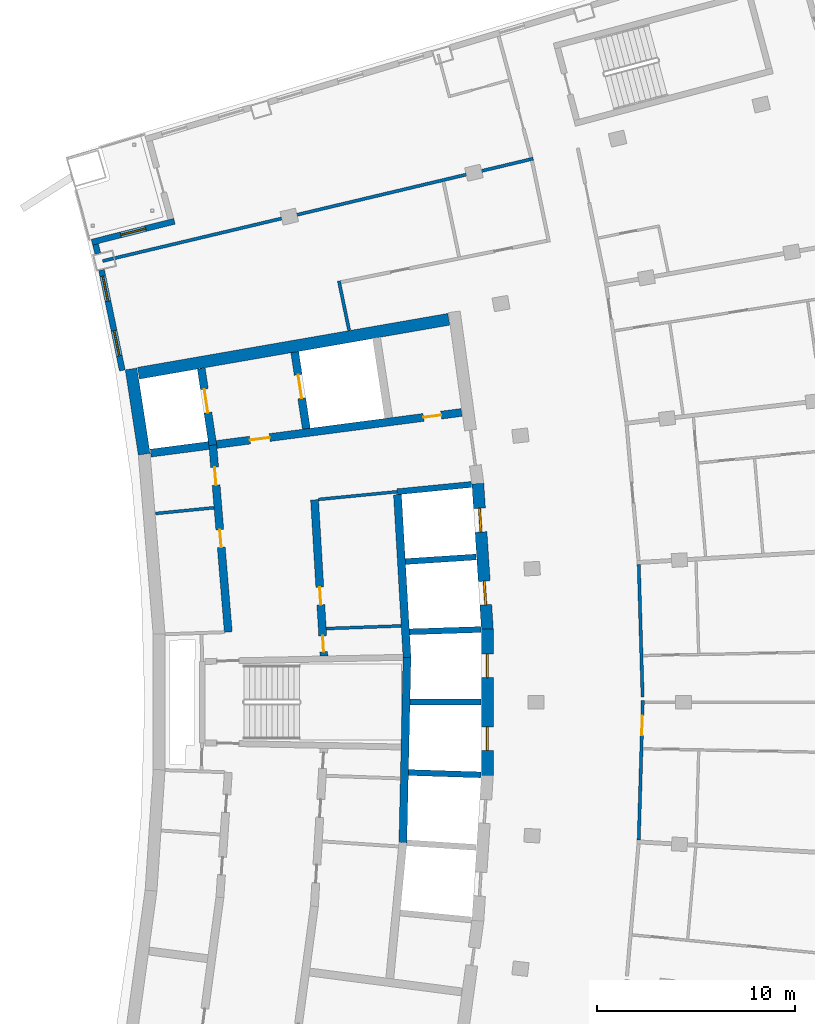
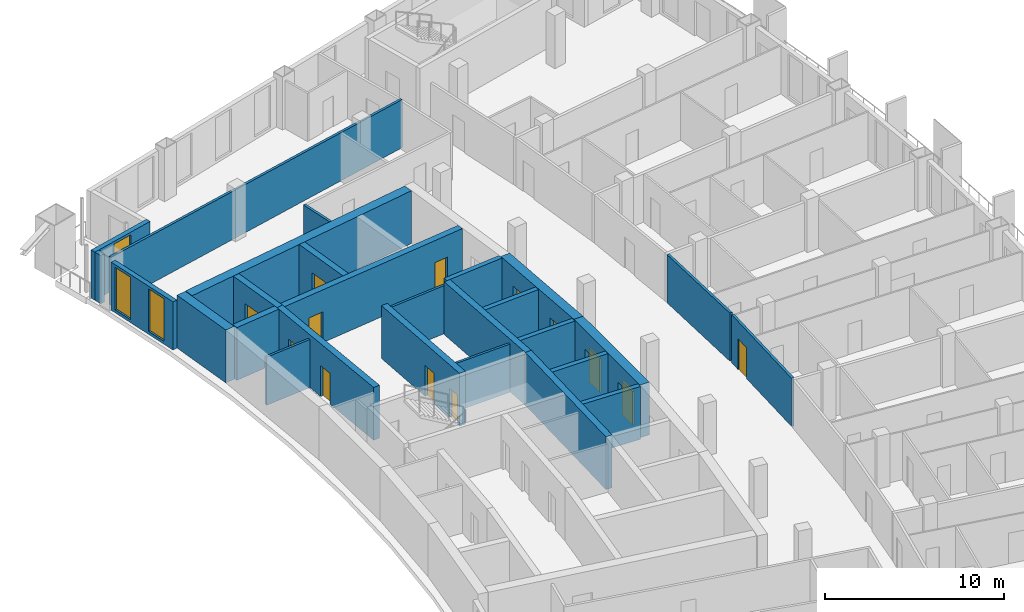
# One storey, part 12 of 19: 27 walls, 13 doors, 3 windows, 16 openings.
"""IFC4 building model written with IfcOpenShell, lengths in metres."""

from ifc_helpers import new_model, si_unit, direction, frame, frame_2d, origin, place, context, subcontext, project, spatial, rectangle, extrude, material, layer, layer_set, type_object, element, fill, save


model = new_model("IFC4")

# Units and contexts
model_context = context("Model", 3, precision=1e-05, world=origin(), true_north=direction((0.0, 1.0)))
body_context = subcontext(model_context, "Body", "Model", "MODEL_VIEW")
ifc_project = project(units=[si_unit("LENGTHUNIT", "METRE"), si_unit("AREAUNIT", "SQUARE_METRE"), si_unit("VOLUMEUNIT", "CUBIC_METRE"), si_unit("PLANEANGLEUNIT", "RADIAN"), si_unit("MASSUNIT", "GRAM", prefix="KILO")], contexts=[model_context])

# Site, building, storey
site_placement = place(None, origin())
site = spatial("IfcSite", under=ifc_project, at=site_placement, CompositionType="ELEMENT")
building_placement = place(site_placement, origin())
building = spatial("IfcBuilding", under=site, at=building_placement, Name="Alderwake Tower", CompositionType="ELEMENT")
storey_placement = place(building_placement, frame((0.0, 0.0, 203.60009765625)))
storey = spatial("IfcBuildingStorey", under=building, at=storey_placement, Name="L50", CompositionType="ELEMENT", Elevation=203.60009765625)

# Walls
ifc_material_1 = material(Name="Gypsum shaft wall system, rated")
ifc_layer_1 = layer(ifc_material_1, 0.14990234375)
ifc_layer_set_1 = layer_set([ifc_layer_1], Name="Core riser partition 150")
wall_type_1 = type_object("IfcWallType", Name="Core riser partition 150", PredefinedType="PARTITIONING", material=ifc_layer_set_1)
wall_1_placement = place(storey_placement, frame((25.191162109375, 64.723388671875, 0.0), z_axis=(0.0, 0.0, 1.0), x_axis=(0.999373627871, 0.035388584556, 0.0)))
element("IfcWall", 1, at=wall_1_placement, inside=storey, type_object=wall_type_1, Name="CW/L50/PR+37_+86", PredefinedType="PARTITIONING", context=body_context, shape_type="SweptSolid", body=[
    extrude(rectangle(XDim=3.79443359375, YDim=0.14990234375, at=frame_2d((1.897216796875, 0.0))), origin(), (0.0, 0.0, 1.0), 3.27978515625),
])
ifc_material_2 = material(Name="Gypsum shaft wall system, rated")
ifc_layer_2 = layer(ifc_material_2, 0.14990234375)
ifc_layer_set_2 = layer_set([ifc_layer_2], Name="Core room partition 150")
wall_type_2 = type_object("IfcWallType", Name="Core room partition 150", PredefinedType="PARTITIONING", material=ifc_layer_set_2)
wall_2_placement = place(storey_placement, frame((24.799560546875, 71.2548828125, 0.0), z_axis=(0.0, 0.0, 1.0), x_axis=(0.995250000627, 0.097352125046, 0.0)))
element("IfcWall", 2, at=wall_2_placement, inside=storey, type_object=wall_type_2, Name="CW/L50/PR+102_+86", PredefinedType="PARTITIONING", context=body_context, shape_type="SweptSolid", body=[
    extrude(rectangle(XDim=4.0, YDim=0.14990234375, at=frame_2d((2.0, 0.0))), origin(), (0.0, 0.0, 1.0), 3.27978515625),
])
wall_3_placement = place(storey_placement, frame((16.563232421875, 70.5419921875, 0.0), z_axis=(0.0, 0.0, 1.0), x_axis=(0.995152224128, 0.098346585166, 0.0)))
element("IfcWall", 3, at=wall_3_placement, inside=storey, type_object=wall_type_2, Name="CW/L50/PR+103_+0", PredefinedType="PARTITIONING", context=body_context, shape_type="SweptSolid", body=[
    extrude(rectangle(XDim=2.966552734375, YDim=0.14990234375, at=frame_2d((1.4833984375, 0.0))), origin(), (0.0, 0.0, 1.0), 3.27978515625),
])
ifc_material_3 = material(Name="Concrete C70/85", Category="concrete")
ifc_layer_3 = layer(ifc_material_3, 0.60009765625)
ifc_layer_set_3 = layer_set([ifc_layer_3], Name="Core wall outer 600 C70-85")
wall_type_3 = type_object("IfcWallType", Name="Core wall outer 600 C70-85", PredefinedType="SHEAR", material=ifc_layer_set_3)
wall_4_placement = place(storey_placement, frame((15.984130859375, 73.54296875, 0.0), z_axis=(0.0, 0.0, 1.0), x_axis=(-0.151922578304, 0.988392396876, 0.0)))
element("IfcWall", 4, at=wall_4_placement, inside=storey, type_object=wall_type_3, Name="Core wall CW.034", PredefinedType="SHEAR", context=body_context, shape_type="SweptSolid", body=[
    extrude(rectangle(XDim=4.361328125, YDim=0.60009765625, at=frame_2d((2.1806640625, 0.0))), origin(), (0.0, 0.0, 1.0), 3.599853515625),
])

# Wall, openings, doors
wall_5_placement = place(storey_placement, frame((33.340087890625, 57.30322265625, 0.0), z_axis=(0.0, 0.0, 1.0), x_axis=(0.0, 1.0, 0.0)))
wall_5 = element("IfcWall", 5, at=wall_5_placement, inside=storey, type_object=wall_type_3, Name="Core wall CW.018", PredefinedType="SHEAR", context=body_context, shape_type="SweptSolid", body=[
    extrude(rectangle(XDim=7.3935546875, YDim=0.60009765625, at=frame_2d((3.69677734375, 0.0))), origin(), (0.0, 0.0, 1.0), 3.599853515625),
])
opening_1_placement = place(wall_5_placement, frame((1.25341796875, 0.0, 0.0)))
opening_1 = element("IfcOpeningElement", 6, at=opening_1_placement, cuts=wall_5, Name="Opening LD-HP3", PredefinedType="OPENING", context=body_context, shape_type="SweptSolid", body=[
    extrude(rectangle(XDim=1.199951171875, YDim=2.300048828125, at=frame_2d((0.60009765625, 1.14990234375))), frame((0.0, 0.31005859375, 0.0), z_axis=(0.0, -1.0, 0.0), x_axis=(1.0, 0.0, 0.0)), (0.0, 0.0, 1.0), 0.6201171875),
])
opening_2_placement = place(wall_5_placement, frame((4.940185546875, 0.0, 0.0)))
opening_2 = element("IfcOpeningElement", 7, at=opening_2_placement, cuts=wall_5, Name="Opening LD-HP4", PredefinedType="OPENING", context=body_context, shape_type="SweptSolid", body=[
    extrude(rectangle(XDim=1.199951171875, YDim=2.300048828125, at=frame_2d((0.60009765625, 1.14990234375))), frame((0.0, 0.31005859375, 0.0), z_axis=(0.0, -1.0, 0.0), x_axis=(1.0, 0.0, 0.0)), (0.0, 0.0, 1.0), 0.6201171875),
])
ifc_material_4 = material(Name="Stainless steel sliding leaf", Category="steel")
door_type_1 = type_object("IfcDoorType", Name="Lift landing door 1200", OperationType="SLIDING_TO_LEFT", PredefinedType="DOOR", material=ifc_material_4)
door_1_placement = place(opening_1_placement, origin())
door_1 = element("IfcDoor", 8, at=door_1_placement, inside=storey, type_object=door_type_1, Name="Lift landing door HP3", OperationType="SLIDING_TO_LEFT", OverallHeight=2.300048828125, OverallWidth=1.199951171875, PredefinedType="DOOR", context=body_context, shape_type="SweptSolid", body=[
    extrude(rectangle(XDim=1.199951171875, YDim=2.300048828125, at=frame_2d((0.60009765625, 1.14990234375))), frame((0.0, 0.050048828125, 0.0), z_axis=(0.0, -1.0, 0.0), x_axis=(1.0, 0.0, 0.0)), (0.0, 0.0, 1.0), 0.10009765625),
])
fill(opening_1, door_1)
door_2_placement = place(opening_2_placement, origin())
door_2 = element("IfcDoor", 9, at=door_2_placement, inside=storey, type_object=door_type_1, Name="Lift landing door HP4", OperationType="SLIDING_TO_LEFT", OverallHeight=2.300048828125, OverallWidth=1.199951171875, PredefinedType="DOOR", context=body_context, shape_type="SweptSolid", body=[
    extrude(rectangle(XDim=1.199951171875, YDim=2.300048828125, at=frame_2d((0.60009765625, 1.14990234375))), frame((0.0, 0.050048828125, 0.0), z_axis=(0.0, -1.0, 0.0), x_axis=(1.0, 0.0, 0.0)), (0.0, 0.0, 1.0), 0.10009765625),
])
fill(opening_2, door_2)

wall_6_placement = place(storey_placement, frame((33.3408203125, 64.67626953125, 0.0), z_axis=(0.0, 0.0, 1.0), x_axis=(-0.065013379938, 0.997884392317, 0.0)))
wall_6 = element("IfcWall", 10, at=wall_6_placement, inside=storey, type_object=wall_type_3, Name="Core wall CW.015", PredefinedType="SHEAR", context=body_context, shape_type="SweptSolid", body=[
    extrude(rectangle(XDim=7.39404296875, YDim=0.60009765625, at=frame_2d((3.697021484375, 0.0))), origin(), (0.0, 0.0, 1.0), 3.599853515625),
])
opening_3_placement = place(wall_6_placement, frame((1.253173828125, 0.0, 0.0)))
opening_3 = element("IfcOpeningElement", 11, at=opening_3_placement, cuts=wall_6, Name="Opening LD-HP5", PredefinedType="OPENING", context=body_context, shape_type="SweptSolid", body=[
    extrude(rectangle(XDim=1.199951171875, YDim=2.300048828125, at=frame_2d((0.60009765625, 1.14990234375))), frame((0.0, 0.31005859375, 0.0), z_axis=(0.0, -1.0, 0.0), x_axis=(1.0, 0.0, 0.0)), (0.0, 0.0, 1.0), 0.6201171875),
])
opening_4_placement = place(wall_6_placement, frame((4.940185546875, 0.0, 0.0)))
opening_4 = element("IfcOpeningElement", 12, at=opening_4_placement, cuts=wall_6, Name="Opening LD-HP6", PredefinedType="OPENING", context=body_context, shape_type="SweptSolid", body=[
    extrude(rectangle(XDim=1.199951171875, YDim=2.300048828125, at=frame_2d((0.60009765625, 1.14990234375))), frame((0.0, 0.31005859375, 0.0), z_axis=(0.0, -1.0, 0.0), x_axis=(1.0, 0.0, 0.0)), (0.0, 0.0, 1.0), 0.6201171875),
])
door_3_placement = place(opening_3_placement, origin())
door_3 = element("IfcDoor", 13, at=door_3_placement, inside=storey, type_object=door_type_1, Name="Lift landing door HP5", OperationType="SLIDING_TO_LEFT", OverallHeight=2.300048828125, OverallWidth=1.199951171875, PredefinedType="DOOR", context=body_context, shape_type="SweptSolid", body=[
    extrude(rectangle(XDim=1.199951171875, YDim=2.300048828125, at=frame_2d((0.60009765625, 1.14990234375))), frame((0.0, 0.050048828125, 0.0), z_axis=(0.0, -1.0, 0.0), x_axis=(1.0, 0.0, 0.0)), (0.0, 0.0, 1.0), 0.10009765625),
])
fill(opening_3, door_3)
door_4_placement = place(opening_4_placement, origin())
door_4 = element("IfcDoor", 14, at=door_4_placement, inside=storey, type_object=door_type_1, Name="Lift landing door HP6", OperationType="SLIDING_TO_LEFT", OverallHeight=2.300048828125, OverallWidth=1.199951171875, PredefinedType="DOOR", context=body_context, shape_type="SweptSolid", body=[
    extrude(rectangle(XDim=1.199951171875, YDim=2.300048828125, at=frame_2d((0.60009765625, 1.14990234375))), frame((0.0, 0.050048828125, 0.0), z_axis=(0.0, -1.0, 0.0), x_axis=(1.0, 0.0, 0.0)), (0.0, 0.0, 1.0), 0.10009765625),
])
fill(opening_4, door_4)

# Walls
wall_7_placement = place(storey_placement, frame((15.68896484375, 77.6357421875, 0.0), z_axis=(0.0, 0.0, 1.0), x_axis=(0.985223223422, 0.17127521721, 0.0)))
element("IfcWall", 15, at=wall_7_placement, inside=storey, type_object=wall_type_3, Name="Core wall CW.055", PredefinedType="SHEAR", context=body_context, shape_type="SweptSolid", body=[
    extrude(rectangle(XDim=15.933349609375, YDim=0.60009765625, at=frame_2d((7.966796875, 0.0))), origin(), (0.0, 0.0, 1.0), 3.599853515625),
])
ifc_material_5 = material(Name="Concrete C70/85", Category="concrete")
ifc_layer_4 = layer(ifc_material_5, 0.300048828125)
ifc_layer_set_4 = layer_set([ifc_layer_4], Name="Core wall shaft 300 C70-85")
wall_type_4 = type_object("IfcWallType", Name="Core wall shaft 300 C70-85", PredefinedType="SHEAR", material=ifc_layer_set_4)
wall_8_placement = place(storey_placement, frame((29.347412109375, 57.443603515625, 0.0), z_axis=(0.0, 0.0, 1.0), x_axis=(0.99946918462, -0.032578351638, 0.0)))
element("IfcWall", 16, at=wall_8_placement, inside=storey, type_object=wall_type_4, Name="Core wall CW.075", PredefinedType="SHEAR", context=body_context, shape_type="SweptSolid", body=[
    extrude(rectangle(XDim=3.66455078125, YDim=0.300048828125, at=frame_2d((1.832275390625, 0.0))), origin(), (0.0, 0.0, 1.0), 3.599853515625),
])
wall_9_placement = place(storey_placement, frame((29.426025390625, 61.0, 0.0), z_axis=(0.0, 0.0, 1.0), x_axis=(1.0, 0.0, 0.0)))
element("IfcWall", 17, at=wall_9_placement, inside=storey, type_object=wall_type_4, Name="Core wall CW.048", PredefinedType="SHEAR", context=body_context, shape_type="SweptSolid", body=[
    extrude(rectangle(XDim=3.583984375, YDim=0.300048828125, at=frame_2d((1.7919921875, 0.0))), origin(), (0.0, 0.0, 1.0), 3.599853515625),
])
wall_10_placement = place(storey_placement, frame((29.401611328125, 64.558349609375, 0.0), z_axis=(0.0, 0.0, 1.0), x_axis=(0.999470865009, 0.032526758191, 0.0)))
element("IfcWall", 18, at=wall_10_placement, inside=storey, type_object=wall_type_4, Name="Core wall CW.058", PredefinedType="SHEAR", context=body_context, shape_type="SweptSolid", body=[
    extrude(rectangle(XDim=3.6103515625, YDim=0.300048828125, at=frame_2d((1.80517578125, 0.0))), origin(), (0.0, 0.0, 1.0), 3.599853515625),
])
wall_11_placement = place(storey_placement, frame((29.193603515625, 68.110595703125, 0.0), z_axis=(0.0, 0.0, 1.0), x_axis=(0.997887597979, 0.064964157805, 0.0)))
element("IfcWall", 19, at=wall_11_placement, inside=storey, type_object=wall_type_4, Name="Core wall CW.061", PredefinedType="SHEAR", context=body_context, shape_type="SweptSolid", body=[
    extrude(rectangle(XDim=3.585205078125, YDim=0.300048828125, at=frame_2d((1.79248046875, 0.0))), origin(), (0.0, 0.0, 1.0), 3.599853515625),
])
wall_12_placement = place(storey_placement, frame((28.780517578125, 71.644287109375, 0.0), z_axis=(0.0, 0.0, 1.0), x_axis=(0.995245280185, 0.097400370992, 0.0)))
element("IfcWall", 20, at=wall_12_placement, inside=storey, type_object=wall_type_4, Name="Core wall CW.049", PredefinedType="SHEAR", context=body_context, shape_type="SweptSolid", body=[
    extrude(rectangle(XDim=3.769775390625, YDim=0.300048828125, at=frame_2d((1.884765625, 0.0))), origin(), (0.0, 0.0, 1.0), 3.599853515625),
])

# Wall, openings, doors
ifc_material_6 = material(Name="Concrete C70/85", Category="concrete")
ifc_layer_5 = layer(ifc_material_6, 0.39990234375)
ifc_layer_set_5 = layer_set([ifc_layer_5], Name="Core wall spine 400 C70-85")
wall_type_5 = type_object("IfcWallType", Name="Core wall spine 400 C70-85", PredefinedType="SHEAR", material=ifc_layer_set_5)
wall_13_placement = place(storey_placement, frame((19.452392578125, 74.014892578125, 0.0), z_axis=(0.0, 0.0, 1.0), x_axis=(0.082628585297, -0.996580411654, 0.0)))
wall_13 = element("IfcWall", 21, at=wall_13_placement, inside=storey, type_object=wall_type_5, Name="Core wall CW.031", PredefinedType="SHEAR", context=body_context, shape_type="SweptSolid", body=[
    extrude(rectangle(XDim=9.499267578125, YDim=0.39990234375, at=frame_2d((4.74951171875, 0.0))), origin(), (0.0, 0.0, 1.0), 3.599853515625),
])
opening_5_placement = place(wall_13_placement, frame((4.30322265625, 0.0, 0.0)))
opening_5 = element("IfcOpeningElement", 22, at=opening_5_placement, cuts=wall_13, Name="Opening C052", PredefinedType="OPENING", context=body_context, shape_type="SweptSolid", body=[
    extrude(rectangle(XDim=0.89990234375, YDim=2.10009765625, at=frame_2d((0.449951171875, 1.050048828125))), frame((0.0, 0.2099609375, 0.0), z_axis=(0.0, -1.0, 0.0), x_axis=(1.0, 0.0, 0.0)), (0.0, 0.0, 1.0), 0.419921875),
])
opening_6_placement = place(wall_13_placement, frame((1.138671875, 0.0, 0.0)))
opening_6 = element("IfcOpeningElement", 23, at=opening_6_placement, cuts=wall_13, Name="Opening C056", PredefinedType="OPENING", context=body_context, shape_type="SweptSolid", body=[
    extrude(rectangle(XDim=0.89990234375, YDim=2.10009765625, at=frame_2d((0.449951171875, 1.050048828125))), frame((0.0, 0.2099609375, 0.0), z_axis=(0.0, -1.0, 0.0), x_axis=(1.0, 0.0, 0.0)), (0.0, 0.0, 1.0), 0.419921875),
])
ifc_material_7 = material(Name="Painted steel leaf", Category="steel")
door_type_2 = type_object("IfcDoorType", Name="Core room door 900", OperationType="SINGLE_SWING_LEFT", PredefinedType="DOOR", material=ifc_material_7)
door_5_placement = place(opening_5_placement, origin())
door_5 = element("IfcDoor", 24, at=door_5_placement, inside=storey, type_object=door_type_2, Name="Room door", OperationType="SINGLE_SWING_LEFT", OverallHeight=2.10009765625, OverallWidth=0.89990234375, PredefinedType="DOOR", context=body_context, shape_type="SweptSolid", body=[
    extrude(rectangle(XDim=0.89990234375, YDim=2.10009765625, at=frame_2d((0.449951171875, 1.050048828125))), frame((0.0, 0.02490234375, 0.0), z_axis=(0.0, -1.0, 0.0), x_axis=(1.0, 0.0, 0.0)), (0.0, 0.0, 1.0), 0.050048828125),
])
fill(opening_5, door_5)
door_6_placement = place(opening_6_placement, origin())
door_6 = element("IfcDoor", 25, at=door_6_placement, inside=storey, type_object=door_type_2, Name="Room door", OperationType="SINGLE_SWING_RIGHT", OverallHeight=2.10009765625, OverallWidth=0.89990234375, PredefinedType="DOOR", context=body_context, shape_type="SweptSolid", body=[
    extrude(rectangle(XDim=0.89990234375, YDim=2.10009765625, at=frame_2d((0.449951171875, 1.050048828125))), frame((0.0, 0.02490234375, 0.0), z_axis=(0.0, -1.0, 0.0), x_axis=(1.0, 0.0, 0.0)), (0.0, 0.0, 1.0), 0.050048828125),
])
fill(opening_6, door_6)

# Wall, opening, door
wall_14_placement = place(storey_placement, frame((19.4541015625, 74.00048828125, 0.0), z_axis=(0.0, 0.0, 1.0), x_axis=(-0.148977743105, 0.98884054936, 0.0)))
wall_14 = element("IfcWall", 26, at=wall_14_placement, inside=storey, type_object=wall_type_5, Name="Core wall CW.030", PredefinedType="SHEAR", context=body_context, shape_type="SweptSolid", body=[
    extrude(rectangle(XDim=3.9150390625, YDim=0.39990234375, at=frame_2d((1.95751953125, 0.0))), origin(), (0.0, 0.0, 1.0), 3.599853515625),
])
opening_7_placement = place(wall_14_placement, frame((1.6611328125, 0.0, 0.0)))
opening_7 = element("IfcOpeningElement", 27, at=opening_7_placement, cuts=wall_14, Name="Opening LD-FF1", PredefinedType="OPENING", context=body_context, shape_type="SweptSolid", body=[
    extrude(rectangle(XDim=1.199951171875, YDim=2.300048828125, at=frame_2d((0.60009765625, 1.14990234375))), frame((0.0, 0.2099609375, 0.0), z_axis=(0.0, -1.0, 0.0), x_axis=(1.0, 0.0, 0.0)), (0.0, 0.0, 1.0), 0.419921875),
])
door_7_placement = place(opening_7_placement, origin())
door_7 = element("IfcDoor", 28, at=door_7_placement, inside=storey, type_object=door_type_1, Name="Lift landing door FF1", OperationType="SLIDING_TO_LEFT", OverallHeight=2.300048828125, OverallWidth=1.199951171875, PredefinedType="DOOR", context=body_context, shape_type="SweptSolid", body=[
    extrude(rectangle(XDim=1.199951171875, YDim=2.300048828125, at=frame_2d((0.60009765625, 1.14990234375))), frame((0.0, 0.02490234375, 0.0), z_axis=(0.0, -1.0, 0.0), x_axis=(1.0, 0.0, 0.0)), (0.0, 0.0, 1.0), 0.050048828125),
])
fill(opening_7, door_7)

# Wall, openings, doors
wall_15_placement = place(storey_placement, frame((25.073974609375, 63.335693359375, 0.0), z_axis=(0.0, 0.0, 1.0), x_axis=(-0.059848641072, 0.998207463487, 0.0)))
wall_15 = element("IfcWall", 29, at=wall_15_placement, inside=storey, type_object=wall_type_5, Name="Core wall CW.045", PredefinedType="SHEAR", context=body_context, shape_type="SweptSolid", body=[
    extrude(rectangle(XDim=7.913818359375, YDim=0.39990234375, at=frame_2d((3.95703125, 0.0))), origin(), (0.0, 0.0, 1.0), 3.599853515625),
])
opening_8_placement = place(wall_15_placement, frame((0.216064453125, 0.0, 0.0)))
opening_8 = element("IfcOpeningElement", 30, at=opening_8_placement, cuts=wall_15, Name="Opening C005", PredefinedType="OPENING", context=body_context, shape_type="SweptSolid", body=[
    extrude(rectangle(XDim=0.800048828125, YDim=2.0, at=frame_2d((0.39990234375, 1.0))), frame((0.0, 0.2099609375, 0.0), z_axis=(0.0, -1.0, 0.0), x_axis=(1.0, 0.0, 0.0)), (0.0, 0.0, 1.0), 0.419921875),
])
opening_9_placement = place(wall_15_placement, frame((2.590087890625, 0.0, 0.0)))
opening_9 = element("IfcOpeningElement", 31, at=opening_9_placement, cuts=wall_15, Name="Opening C057", PredefinedType="OPENING", context=body_context, shape_type="SweptSolid", body=[
    extrude(rectangle(XDim=0.89990234375, YDim=2.10009765625, at=frame_2d((0.449951171875, 1.050048828125))), frame((0.0, 0.2099609375, 0.0), z_axis=(0.0, -1.0, 0.0), x_axis=(1.0, 0.0, 0.0)), (0.0, 0.0, 1.0), 0.419921875),
])
door_8_placement = place(opening_9_placement, origin())
door_8 = element("IfcDoor", 32, at=door_8_placement, inside=storey, type_object=door_type_2, Name="Room door", OperationType="SINGLE_SWING_LEFT", OverallHeight=2.10009765625, OverallWidth=0.89990234375, PredefinedType="DOOR", context=body_context, shape_type="SweptSolid", body=[
    extrude(rectangle(XDim=0.89990234375, YDim=2.10009765625, at=frame_2d((0.449951171875, 1.050048828125))), frame((0.0, 0.02490234375, 0.0), z_axis=(0.0, -1.0, 0.0), x_axis=(1.0, 0.0, 0.0)), (0.0, 0.0, 1.0), 0.050048828125),
])
fill(opening_9, door_8)
ifc_material_8 = material(Name="Painted steel leaf, rated", Category="steel")
door_type_3 = type_object("IfcDoorType", Name="Riser access door 800", OperationType="SINGLE_SWING_LEFT", PredefinedType="DOOR", material=ifc_material_8)
door_9_placement = place(opening_8_placement, origin())
door_9 = element("IfcDoor", 33, at=door_9_placement, inside=storey, type_object=door_type_3, Name="Riser access door", OperationType="SINGLE_SWING_LEFT", OverallHeight=2.0, OverallWidth=0.800048828125, PredefinedType="DOOR", context=body_context, shape_type="SweptSolid", body=[
    extrude(rectangle(XDim=0.800048828125, YDim=2.0, at=frame_2d((0.39990234375, 1.0))), frame((0.0, 0.02490234375, 0.0), z_axis=(0.0, -1.0, 0.0), x_axis=(1.0, 0.0, 0.0)), (0.0, 0.0, 1.0), 0.050048828125),
])
fill(opening_8, door_9)

# Wall, opening, door
wall_16_placement = place(storey_placement, frame((24.186279296875, 74.82861328125, 0.0), z_axis=(0.0, 0.0, 1.0), x_axis=(-0.150092938275, 0.988671891924, 0.0)))
wall_16 = element("IfcWall", 34, at=wall_16_placement, inside=storey, type_object=wall_type_5, Name="Core wall CW.044", PredefinedType="SHEAR", context=body_context, shape_type="SweptSolid", body=[
    extrude(rectangle(XDim=3.92333984375, YDim=0.39990234375, at=frame_2d((1.961669921875, 0.0))), origin(), (0.0, 0.0, 1.0), 3.599853515625),
])
opening_10_placement = place(wall_16_placement, frame((1.561767578125, 0.0, 0.0)))
opening_10 = element("IfcOpeningElement", 35, at=opening_10_placement, cuts=wall_16, Name="Opening LD-FF2", PredefinedType="OPENING", context=body_context, shape_type="SweptSolid", body=[
    extrude(rectangle(XDim=1.199951171875, YDim=2.300048828125, at=frame_2d((0.60009765625, 1.14990234375))), frame((0.0, 0.2099609375, 0.0), z_axis=(0.0, -1.0, 0.0), x_axis=(1.0, 0.0, 0.0)), (0.0, 0.0, 1.0), 0.419921875),
])
door_10_placement = place(opening_10_placement, origin())
door_10 = element("IfcDoor", 36, at=door_10_placement, inside=storey, type_object=door_type_1, Name="Lift landing door FF2", OperationType="SLIDING_TO_LEFT", OverallHeight=2.300048828125, OverallWidth=1.199951171875, PredefinedType="DOOR", context=body_context, shape_type="SweptSolid", body=[
    extrude(rectangle(XDim=1.199951171875, YDim=2.300048828125, at=frame_2d((0.60009765625, 1.14990234375))), frame((0.0, 0.02490234375, 0.0), z_axis=(0.0, -1.0, 0.0), x_axis=(1.0, 0.0, 0.0)), (0.0, 0.0, 1.0), 0.050048828125),
])
fill(opening_10, door_10)

# Walls
wall_17_placement = place(storey_placement, frame((29.06884765625, 53.8896484375, 0.0), z_axis=(0.0, 0.0, 1.0), x_axis=(0.022115722908, 0.99975541749, 0.0)))
element("IfcWall", 37, at=wall_17_placement, inside=storey, type_object=wall_type_5, Name="Core wall CW.008", PredefinedType="SHEAR", context=body_context, shape_type="SweptSolid", body=[
    extrude(rectangle(XDim=9.394287109375, YDim=0.39990234375, at=frame_2d((4.697265625, 0.0))), origin(), (0.0, 0.0, 1.0), 3.599853515625),
])
wall_18_placement = place(storey_placement, frame((29.27685546875, 63.2646484375, 0.0), z_axis=(0.0, 0.0, 1.0), x_axis=(-0.0584546922, 0.998290062537, 0.0)))
element("IfcWall", 38, at=wall_18_placement, inside=storey, type_object=wall_type_5, Name="Core wall CW.002", PredefinedType="SHEAR", context=body_context, shape_type="SweptSolid", body=[
    extrude(rectangle(XDim=8.24462890625, YDim=0.39990234375, at=frame_2d((4.122314453125, 0.0))), origin(), (0.0, 0.0, 1.0), 3.599853515625),
])
wall_19_placement = place(storey_placement, frame((16.31005859375, 73.5966796875, 0.0), z_axis=(0.0, 0.0, 1.0), x_axis=(0.99155863891, 0.12965903595, 0.0)))
element("IfcWall", 39, at=wall_19_placement, inside=storey, type_object=wall_type_5, Name="Core wall CW.051", PredefinedType="SHEAR", context=body_context, shape_type="SweptSolid", body=[
    extrude(rectangle(XDim=2.969482421875, YDim=0.39990234375, at=frame_2d((1.48486328125, 0.0))), origin(), (0.0, 0.0, 1.0), 3.599853515625),
])

# Wall, openings, doors
wall_20_placement = place(storey_placement, frame((32.032958984375, 75.653076171875, 0.0), z_axis=(0.0, 0.0, 1.0), x_axis=(-0.991554886316, -0.129687730428, 0.0)))
wall_20 = element("IfcWall", 40, at=wall_20_placement, inside=storey, type_object=wall_type_5, Name="Core wall CW.052", PredefinedType="SHEAR", context=body_context, shape_type="SweptSolid", body=[
    extrude(rectangle(XDim=12.48681640625, YDim=0.39990234375, at=frame_2d((6.243408203125, 0.0))), origin(), (0.0, 0.0, 1.0), 3.599853515625),
])
opening_11_placement = place(wall_20_placement, frame((9.787109375, 0.0, 0.0)))
opening_11 = element("IfcOpeningElement", 41, at=opening_11_placement, cuts=wall_20, Name="Opening C002", PredefinedType="OPENING", context=body_context, shape_type="SweptSolid", body=[
    extrude(rectangle(XDim=1.0, YDim=2.10009765625, at=frame_2d((0.5, 1.050048828125))), frame((0.0, 0.2099609375, 0.0), z_axis=(0.0, -1.0, 0.0), x_axis=(1.0, 0.0, 0.0)), (0.0, 0.0, 1.0), 0.419921875),
])
opening_12_placement = place(wall_20_placement, frame((1.037109375, 0.0, 0.0)))
opening_12 = element("IfcOpeningElement", 42, at=opening_12_placement, cuts=wall_20, Name="Opening C020", PredefinedType="OPENING", context=body_context, shape_type="SweptSolid", body=[
    extrude(rectangle(XDim=0.89990234375, YDim=2.10009765625, at=frame_2d((0.449951171875, 1.050048828125))), frame((0.0, 0.2099609375, 0.0), z_axis=(0.0, -1.0, 0.0), x_axis=(1.0, 0.0, 0.0)), (0.0, 0.0, 1.0), 0.419921875),
])
door_11_placement = place(opening_12_placement, origin())
door_11 = element("IfcDoor", 43, at=door_11_placement, inside=storey, type_object=door_type_2, Name="Room door", OperationType="SINGLE_SWING_LEFT", OverallHeight=2.10009765625, OverallWidth=0.89990234375, PredefinedType="DOOR", context=body_context, shape_type="SweptSolid", body=[
    extrude(rectangle(XDim=0.89990234375, YDim=2.10009765625, at=frame_2d((0.449951171875, 1.050048828125))), frame((0.0, 0.02490234375, 0.0), z_axis=(0.0, -1.0, 0.0), x_axis=(1.0, 0.0, 0.0)), (0.0, 0.0, 1.0), 0.050048828125),
])
fill(opening_12, door_11)
ifc_material_9 = material(Name="Steel-framed fire door leaf", Category="steel")
door_type_4 = type_object("IfcDoorType", Name="Firefighting lobby door 1000 fire-rated", OperationType="SINGLE_SWING_LEFT", PredefinedType="DOOR", material=ifc_material_9)
door_12_placement = place(opening_11_placement, origin())
door_12 = element("IfcDoor", 44, at=door_12_placement, inside=storey, type_object=door_type_4, Name="Firefighting lobby door", OperationType="SINGLE_SWING_RIGHT", OverallHeight=2.10009765625, OverallWidth=1.0, PredefinedType="DOOR", context=body_context, shape_type="SweptSolid", body=[
    extrude(rectangle(XDim=1.0, YDim=2.10009765625, at=frame_2d((0.5, 1.050048828125))), frame((0.0, 0.02490234375, 0.0), z_axis=(0.0, -1.0, 0.0), x_axis=(1.0, 0.0, 0.0)), (0.0, 0.0, 1.0), 0.050048828125),
])
fill(opening_11, door_12)

# Walls
ifc_material_10 = material(Name="Gypsum board on metal studs, rated")
ifc_layer_6 = layer(ifc_material_10, 0.159912109375)
ifc_layer_set_6 = layer_set([ifc_layer_6], Name="Corridor wall 160")
wall_type_6 = type_object("IfcWallType", Name="Corridor wall 160", PredefinedType="PARTITIONING", material=ifc_layer_set_6)
wall_21_placement = place(storey_placement, frame((13.884033203125, 83.31298828125, 0.0), z_axis=(0.0, 0.0, 1.0), x_axis=(0.972893462073, 0.231253781493, 0.0)))
element("IfcWall", 45, at=wall_21_placement, inside=storey, type_object=wall_type_6, Name="WL/L50/W09", PredefinedType="PARTITIONING", context=body_context, shape_type="SweptSolid", body=[
    extrude(rectangle(XDim=22.38037109375, YDim=0.159912109375, at=frame_2d((11.190185546875, 0.0))), origin(), (0.0, 0.0, 1.0), 3.27978515625),
])
wall_22_placement = place(storey_placement, frame((25.831787109375, 82.305419921875, 0.0), z_axis=(0.0, 0.0, 1.0), x_axis=(0.202450797205, -0.979292435747, 0.0)))
element("IfcWall", 46, at=wall_22_placement, inside=storey, type_object=wall_type_6, Name="WL/L50/W12", PredefinedType="PARTITIONING", context=body_context, shape_type="SweptSolid", body=[
    extrude(rectangle(XDim=2.555419921875, YDim=0.159912109375, at=frame_2d((1.27783203125, 0.0))), origin(), (0.0, 0.0, 1.0), 3.27978515625),
])

# Wall, opening, door
wall_23_placement = place(storey_placement, frame((41.201416015625, 61.0791015625, 0.0), z_axis=(0.0, 0.0, 1.0), x_axis=(-0.028889070526, -0.999582623701, 0.0)))
wall_23 = element("IfcWall", 47, at=wall_23_placement, inside=storey, type_object=wall_type_6, Name="WL/L50/W25", PredefinedType="PARTITIONING", context=body_context, shape_type="SweptSolid", body=[
    extrude(rectangle(XDim=7.048095703125, YDim=0.159912109375, at=frame_2d((3.52392578125, 0.0))), origin(), (0.0, 0.0, 1.0), 3.27978515625),
])
opening_13_placement = place(wall_23_placement, frame((0.757080078125, 0.0, 0.0)))
opening_13 = element("IfcOpeningElement", 48, at=opening_13_placement, cuts=wall_23, Name="Opening R14-U05.2", PredefinedType="OPENING", context=body_context, shape_type="SweptSolid", body=[
    extrude(rectangle(XDim=1.0, YDim=2.10009765625, at=frame_2d((0.5, 1.050048828125))), frame((0.0, 0.08984375, 0.0), z_axis=(0.0, -1.0, 0.0), x_axis=(1.0, 0.0, 0.0)), (0.0, 0.0, 1.0), 0.179931640625),
])
ifc_material_11 = material(Name="Solid timber leaf in steel frame", Category="steel")
door_type_5 = type_object("IfcDoorType", Name="Flat entrance door 1000 fire-rated", OperationType="SINGLE_SWING_LEFT", PredefinedType="DOOR", material=ifc_material_11)
door_13_placement = place(opening_13_placement, origin())
door_13 = element("IfcDoor", 49, at=door_13_placement, inside=storey, type_object=door_type_5, Name="DR/L50/U05.2", OperationType="SINGLE_SWING_LEFT", OverallHeight=2.10009765625, OverallWidth=1.0, PredefinedType="DOOR", context=body_context, shape_type="SweptSolid", body=[
    extrude(rectangle(XDim=1.0, YDim=2.10009765625, at=frame_2d((0.5, 1.050048828125))), frame((0.0, 0.02490234375, 0.0), z_axis=(0.0, -1.0, 0.0), x_axis=(1.0, 0.0, 0.0)), (0.0, 0.0, 1.0), 0.050048828125),
])
fill(opening_13, door_13)

# Walls
wall_24_placement = place(storey_placement, frame((40.997802734375, 67.967041015625, 0.0), z_axis=(0.0, 0.0, 1.0), x_axis=(0.0288778927, -0.99958294669, 0.0)))
element("IfcWall", 50, at=wall_24_placement, inside=storey, type_object=wall_type_6, Name="WL/L50/W27", PredefinedType="PARTITIONING", context=body_context, shape_type="SweptSolid", body=[
    extrude(rectangle(XDim=6.7041015625, YDim=0.159912109375, at=frame_2d((3.35205078125, 0.0))), origin(), (0.0, 0.0, 1.0), 3.27978515625),
])
ifc_material_12 = material(Name="Precast concrete C50/60 spandrel panel", Category="concrete")
ifc_layer_7 = layer(ifc_material_12, 0.300048828125)
ifc_layer_set_7 = layer_set([ifc_layer_7], Name="External wall EW1 Precast concrete C50/60 spandrel")
wall_type_7 = type_object("IfcWallType", Name="External wall EW1 Precast concrete C50/60 spandrel", PredefinedType="SOLIDWALL", material=ifc_layer_set_7)
wall_25_placement = place(storey_placement, frame((13.523193359375, 84.1572265625, 0.0), z_axis=(0.0, 0.0, 1.0), x_axis=(0.238448700846, -0.971155094238, 0.0)))
element("IfcWall", 51, at=wall_25_placement, inside=storey, type_object=wall_type_7, Name="External wall 30", PredefinedType="SOLIDWALL", context=body_context, shape_type="SweptSolid", body=[
    extrude(rectangle(XDim=0.47802734375, YDim=0.300048828125, at=frame_2d((0.239013671875, 0.0))), origin(), (0.0, 0.0, 1.0), 3.27978515625),
])

# Wall, openings, windows
wall_26_placement = place(storey_placement, frame((13.826904296875, 82.8544921875, 0.0), z_axis=(0.0, 0.0, 1.0), x_axis=(0.202730149235, -0.979234643276, 0.0)))
wall_26 = element("IfcWall", 52, at=wall_26_placement, inside=storey, type_object=wall_type_7, Name="External wall 31", PredefinedType="SOLIDWALL", context=body_context, shape_type="SweptSolid", body=[
    extrude(rectangle(XDim=5.185546875, YDim=0.300048828125, at=frame_2d((2.5927734375, 0.0))), origin(), (0.0, 0.0, 1.0), 3.27978515625),
])
opening_14_placement = place(wall_26_placement, frame((0.316162109375, 0.0, 0.199951171875)))
opening_14 = element("IfcOpeningElement", 53, at=opening_14_placement, cuts=wall_26, Name="Opening W1", PredefinedType="OPENING", context=body_context, shape_type="SweptSolid", body=[
    extrude(rectangle(XDim=1.300048828125, YDim=2.89990234375, at=frame_2d((0.64990234375, 1.449951171875))), frame((0.0, 0.159912109375, 0.0), z_axis=(0.0, -1.0, 0.0), x_axis=(1.0, 0.0, 0.0)), (0.0, 0.0, 1.0), 0.320068359375),
])
opening_15_placement = place(wall_26_placement, frame((3.12890625, 0.0, 0.199951171875)))
opening_15 = element("IfcOpeningElement", 54, at=opening_15_placement, cuts=wall_26, Name="Opening W1", PredefinedType="OPENING", context=body_context, shape_type="SweptSolid", body=[
    extrude(rectangle(XDim=1.300048828125, YDim=2.89990234375, at=frame_2d((0.64990234375, 1.449951171875))), frame((0.0, 0.159912109375, 0.0), z_axis=(0.0, -1.0, 0.0), x_axis=(1.0, 0.0, 0.0)), (0.0, 0.0, 1.0), 0.320068359375),
])
ifc_material_13 = material(Name="Bronze tinted glass in aluminium frame", Category="aluminium")
window_type = type_object("IfcWindowType", Name="Window W1 tall fixed and vent", PartitioningType="DOUBLE_PANEL_VERTICAL", PredefinedType="WINDOW", material=ifc_material_13)
window_1_placement = place(opening_14_placement, origin())
window_1 = element("IfcWindow", 55, at=window_1_placement, inside=storey, type_object=window_type, Name="Window W1 tall fixed and vent", OverallHeight=2.89990234375, OverallWidth=1.300048828125, PartitioningType="DOUBLE_PANEL_VERTICAL", PredefinedType="WINDOW", context=body_context, shape_type="SweptSolid", body=[
    extrude(rectangle(XDim=1.300048828125, YDim=2.89990234375, at=frame_2d((0.64990234375, 1.449951171875))), frame((0.0, 0.030029296875, 0.0), z_axis=(0.0, -1.0, 0.0), x_axis=(1.0, 0.0, 0.0)), (0.0, 0.0, 1.0), 0.06005859375),
])
fill(opening_14, window_1)
window_2_placement = place(opening_15_placement, origin())
window_2 = element("IfcWindow", 56, at=window_2_placement, inside=storey, type_object=window_type, Name="Window W1 tall fixed and vent", OverallHeight=2.89990234375, OverallWidth=1.300048828125, PartitioningType="DOUBLE_PANEL_VERTICAL", PredefinedType="WINDOW", context=body_context, shape_type="SweptSolid", body=[
    extrude(rectangle(XDim=1.300048828125, YDim=2.89990234375, at=frame_2d((0.64990234375, 1.449951171875))), frame((0.0, 0.030029296875, 0.0), z_axis=(0.0, -1.0, 0.0), x_axis=(1.0, 0.0, 0.0)), (0.0, 0.0, 1.0), 0.06005859375),
])
fill(opening_15, window_2)

# Wall, opening, window
ifc_material_14 = material(Name="Bronze metal cladding on lightweight framing")
ifc_layer_8 = layer(ifc_material_14, 0.300048828125)
ifc_layer_set_8 = layer_set([ifc_layer_8], Name="External wall EW2 bronze metal cladding")
wall_type_8 = type_object("IfcWallType", Name="External wall EW2 bronze metal cladding", PredefinedType="SOLIDWALL", material=ifc_layer_set_8)
wall_27_placement = place(storey_placement, frame((17.51611328125, 85.32275390625, 0.0), z_axis=(0.0, 0.0, 1.0), x_axis=(-0.969417740682, -0.245416470617, 0.0)))
wall_27 = element("IfcWall", 57, at=wall_27_placement, inside=storey, type_object=wall_type_8, Name="External wall 29", PredefinedType="SOLIDWALL", context=body_context, shape_type="SweptSolid", body=[
    extrude(rectangle(XDim=4.305419921875, YDim=0.300048828125, at=frame_2d((2.15283203125, 0.0))), origin(), (0.0, 0.0, 1.0), 3.27978515625),
])
opening_16_placement = place(wall_27_placement, frame((1.502685546875, 0.0, 0.199951171875)))
opening_16 = element("IfcOpeningElement", 58, at=opening_16_placement, cuts=wall_27, Name="Opening W1", PredefinedType="OPENING", context=body_context, shape_type="SweptSolid", body=[
    extrude(rectangle(XDim=1.300048828125, YDim=2.89990234375, at=frame_2d((0.64990234375, 1.449951171875))), frame((0.0, 0.159912109375, 0.0), z_axis=(0.0, -1.0, 0.0), x_axis=(1.0, 0.0, 0.0)), (0.0, 0.0, 1.0), 0.320068359375),
])
window_3_placement = place(opening_16_placement, origin())
window_3 = element("IfcWindow", 59, at=window_3_placement, inside=storey, type_object=window_type, Name="Window W1 tall fixed and vent", OverallHeight=2.89990234375, OverallWidth=1.300048828125, PartitioningType="DOUBLE_PANEL_VERTICAL", PredefinedType="WINDOW", context=body_context, shape_type="SweptSolid", body=[
    extrude(rectangle(XDim=1.300048828125, YDim=2.89990234375, at=frame_2d((0.64990234375, 1.449951171875))), frame((0.0, 0.030029296875, 0.0), z_axis=(0.0, -1.0, 0.0), x_axis=(1.0, 0.0, 0.0)), (0.0, 0.0, 1.0), 0.06005859375),
])
fill(opening_16, window_3)

save(model, "model.ifc")
